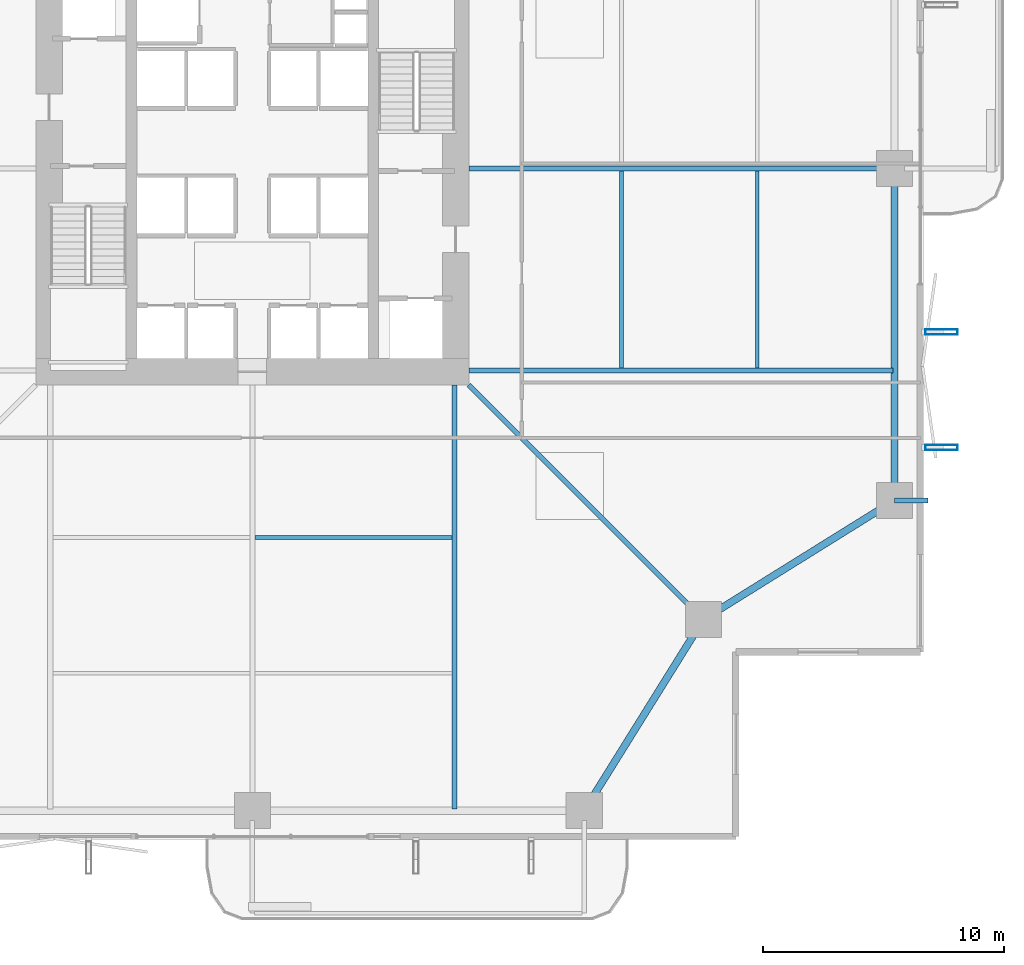
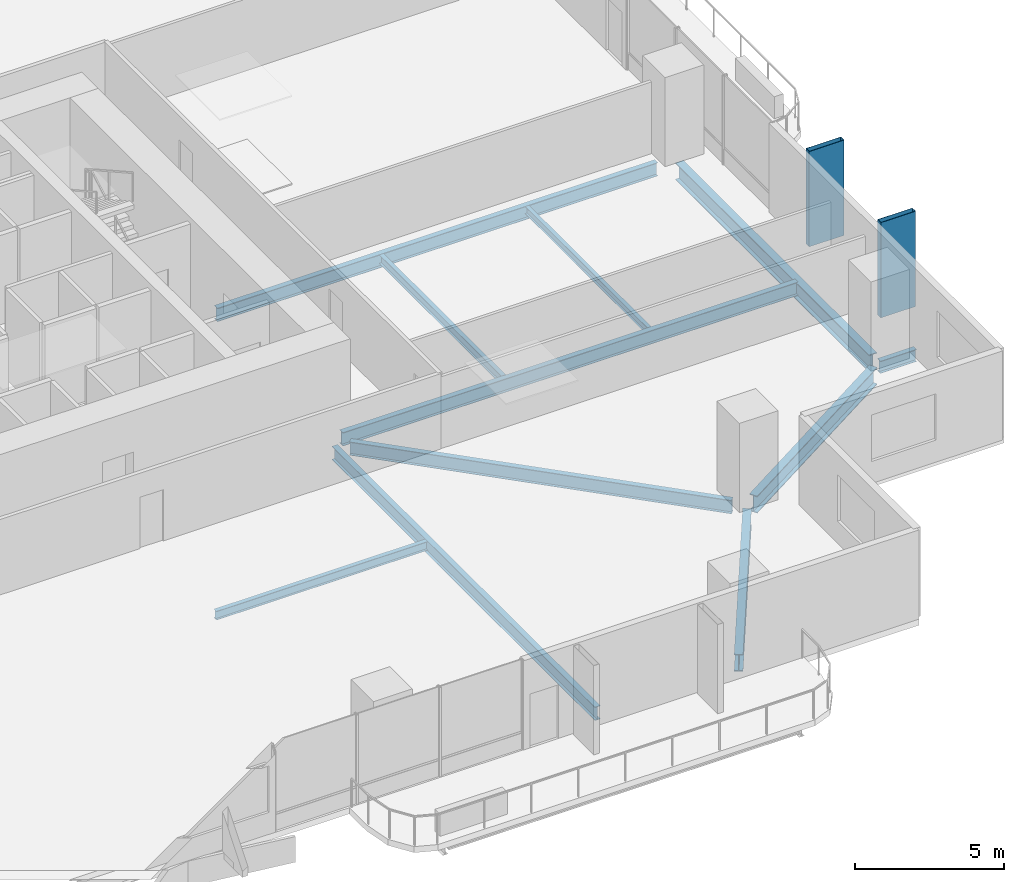
# One storey, part 7 of 23: 11 beams, 2 members.
"""IFC4 building model written with IfcOpenShell, lengths in metres."""

import ifcopenshell
import ifcopenshell.guid

model = None  # the IFC model being written
_history = None  # IfcOwnerHistory: only IFC2X3 demands one
_inside = {}  # id of a spatial element -> (the spatial element, [elements in it])
_under = {}  # id of a project, library or spatial element -> (it, [spatial elements below it])
_declared = {}  # id of a project -> (the project, [libraries it declares])
_typed = {}  # id of a type object -> (the type object, [elements of that type])
_made_of = {}  # id of a material, layer set ... -> (it, [elements and type objects made of it])


def new_model(schema):
    """Start an empty IFC model of exactly this schema.

    Asked for "IFC4X3", IfcOpenShell would pick the latest addendum, in which some entities
    have other attributes; the version numbers below select the first issue.
    IFC2X3 requires an IfcOwnerHistory on every rooted entity: one is made here for all.
    """
    global model, _history
    if schema == "IFC4X3":
        model = ifcopenshell.file(schema_version=(4, 3, 0, 0))
    else:
        model = ifcopenshell.file(schema=schema)
    _inside.clear()
    _under.clear()
    _declared.clear()
    _typed.clear()
    _made_of.clear()
    _history = None
    if model.schema == "IFC2X3":
        org = make("IfcOrganization", Name="unknown")
        user = make(
            "IfcPersonAndOrganization",
            ThePerson=make("IfcPerson", FamilyName="unknown"),
            TheOrganization=org,
        )
        app = make(
            "IfcApplication",
            ApplicationDeveloper=org,
            Version="unknown",
            ApplicationFullName="unknown",
            ApplicationIdentifier="unknown",
        )
        _history = make(
            "IfcOwnerHistory",
            OwningUser=user,
            OwningApplication=app,
            ChangeAction="ADDED",
            CreationDate=0,
        )
    return model


def make(cls, **values):
    """One entity of the class cls with the attributes given. An attribute that is None is left unset."""
    return model.create_entity(
        cls, **{name: value for name, value in values.items() if value is not None}
    )


def rooted(cls, **values):
    """An entity with a GlobalId (a new one), such as an element, a storey or a relation."""
    return make(cls, GlobalId=ifcopenshell.guid.new(), OwnerHistory=_history, **values)


def si_unit(unit_type, name, prefix=None):
    """IfcSIUnit, for example si_unit("LENGTHUNIT", "METRE", prefix="MILLI")."""
    return make("IfcSIUnit", UnitType=unit_type, Prefix=prefix, Name=name)


def assignment(units):
    """IfcUnitAssignment: the units of a project."""
    return None if units is None else make("IfcUnitAssignment", Units=units)


def point(xyz):
    """IfcCartesianPoint."""
    return None if xyz is None else make("IfcCartesianPoint", Coordinates=xyz)


def direction(xyz):
    """IfcDirection."""
    return None if xyz is None else make("IfcDirection", DirectionRatios=xyz)


def frame(location, z_axis=None, x_axis=None):
    """IfcAxis2Placement3D, a coordinate frame: its origin and axes. An axis left out is left unset."""
    return make(
        "IfcAxis2Placement3D",
        Location=point(location),
        Axis=direction(z_axis),
        RefDirection=direction(x_axis),
    )


def frame_2d(location, x_axis=None):
    """IfcAxis2Placement2D, a coordinate frame in the plane: its origin and x axis."""
    return make(
        "IfcAxis2Placement2D", Location=point(location), RefDirection=direction(x_axis)
    )


def origin():
    """The frame at (0, 0, 0) with its axes left unset."""
    return frame((0.0, 0.0, 0.0))


def origin_2d():
    """The frame at (0, 0) in the plane with its x axis left unset."""
    return frame_2d((0.0, 0.0))


def place(relative_to, where):
    """IfcLocalPlacement: puts the frame where relative to a parent placement (None: the world)."""
    return make(
        "IfcLocalPlacement", PlacementRelTo=relative_to, RelativePlacement=where
    )


def context(
    kind, dimensions, precision=None, world=None, true_north=None, identifier=None
):
    """IfcGeometricRepresentationContext, for example the 3D "Model" context."""
    return make(
        "IfcGeometricRepresentationContext",
        ContextIdentifier=identifier,
        ContextType=kind,
        CoordinateSpaceDimension=dimensions,
        Precision=precision,
        WorldCoordinateSystem=world,
        TrueNorth=true_north,
    )


def subcontext(parent, identifier, kind, view, scale=None):
    """IfcGeometricRepresentationSubContext, for example "Body" below "Model"."""
    return make(
        "IfcGeometricRepresentationSubContext",
        ContextIdentifier=identifier,
        ContextType=kind,
        ParentContext=parent,
        TargetScale=scale,
        TargetView=view,
    )


def project(units=None, contexts=None):
    """IfcProject with its units and contexts."""
    return rooted(
        "IfcProject",
        Name="project",
        RepresentationContexts=contexts,
        UnitsInContext=assignment(units),
    )


def spatial(cls, under=None, at=None, **own):
    """A site, building, storey or space (cls), placed at a placement, below another one or the project."""
    s = rooted(cls, ObjectPlacement=at, **own)
    if under is not None:
        _under.setdefault(under.id(), (under, []))[1].append(s)
    return s


def profile(cls, at=None, kind="AREA", **sizes):
    """A parametric profile (cls). Its sizes go by their IFC names, for example OverallWidth=200.0."""
    return make(cls, ProfileType=kind, Position=at, **sizes)


def hollow_rectangle(**sizes):
    """IfcRectangleHollowProfileDef."""
    return profile("IfcRectangleHollowProfileDef", **sizes)


def i_section(**sizes):
    """IfcIShapeProfileDef."""
    return profile("IfcIShapeProfileDef", **sizes)


def extrude(swept, where, along, depth):
    """IfcExtrudedAreaSolid: the profile swept, set in the frame where, extruded along a direction by depth."""
    return make(
        "IfcExtrudedAreaSolid",
        SweptArea=swept,
        Position=where,
        ExtrudedDirection=direction(along),
        Depth=depth,
    )


def shape(context_of_items, identifier, shape_type, items):
    """IfcShapeRepresentation: the items that make up one representation, for example the "Body"."""
    return make(
        "IfcShapeRepresentation",
        ContextOfItems=context_of_items,
        RepresentationIdentifier=identifier,
        RepresentationType=shape_type,
        Items=items,
    )


def material(Name=None, Category=None):
    """IfcMaterial."""
    return make("IfcMaterial", Name=Name, Category=Category)


def material_profile(
    of_material, cross_section, Name=None, Category=None, Priority=None
):
    """IfcMaterialProfile: a cross section and its material."""
    return make(
        "IfcMaterialProfile",
        Name=Name,
        Material=of_material,
        Profile=cross_section,
        Priority=Priority,
        Category=Category,
    )


def profile_set(profiles, Name=None, composite=None):
    """IfcMaterialProfileSet."""
    return make(
        "IfcMaterialProfileSet",
        Name=Name,
        MaterialProfiles=profiles,
        CompositeProfile=composite,
    )


def made_of(thing, what):
    """Note that an element or type object is made of a material, layer set ...; save() writes the relation."""
    if what is not None:
        _made_of.setdefault(what.id(), (what, []))[1].append(thing)
    return thing


def type_object(cls, material=None, **own):
    """A type object (cls), such as IfcWallType, which elements share."""
    return made_of(rooted(cls, **own), material)


def element(
    cls,
    number,
    at=None,
    inside=None,
    cuts=None,
    type_object=None,
    material=None,
    context=None,
    identifier="Body",
    shape_type=None,
    held_by="IfcProductDefinitionShape",
    body=None,
    shapes=None,
    **own,
):
    """One element of the class cls, such as IfcWall. Its Tag is "e" and its number.

    at: its placement. inside: the storey or other place that contains it. cuts: it is an
    opening in that element (IfcRelVoidsElement). A single representation is given by context,
    identifier, shape_type and body (its items); several are given by shapes. held_by: the class
    of the entity that holds the representations. save() writes the other relations.
    """
    e = rooted(cls, Tag="e%d" % number, ObjectPlacement=at, **own)
    if body is not None:
        shapes = [shape(context, identifier, shape_type, body)]
    if shapes is not None:
        e.Representation = make(held_by, Representations=shapes)
    if inside is not None:
        _inside.setdefault(inside.id(), (inside, []))[1].append(e)
    if cuts is not None:
        rooted(
            "IfcRelVoidsElement", RelatingBuildingElement=cuts, RelatedOpeningElement=e
        )
    if type_object is not None:
        _typed.setdefault(type_object.id(), (type_object, []))[1].append(e)
    return made_of(e, material)


def aggregate(whole, parts):
    """IfcRelAggregates: a whole, such as a stair, and the parts it consists of."""
    return rooted("IfcRelAggregates", RelatingObject=whole, RelatedObjects=parts)


def save(model, path):
    """Write the relations noted so far, then the file.

    IfcRelAggregates (storeys below a building ...), IfcRelContainedInSpatialStructure (elements
    in a storey), IfcRelDefinesByType, IfcRelAssociatesMaterial and IfcRelDeclares: one each for
    every whole, place, type object, material and project.
    """
    for whole, parts in _under.values():
        aggregate(whole, parts)
    for where, things in _inside.values():
        rooted(
            "IfcRelContainedInSpatialStructure",
            RelatedElements=things,
            RelatingStructure=where,
        )
    for kind, things in _typed.values():
        rooted("IfcRelDefinesByType", RelatedObjects=things, RelatingType=kind)
    for what, things in _made_of.values():
        rooted("IfcRelAssociatesMaterial", RelatedObjects=things, RelatingMaterial=what)
    for by, libraries in _declared.values():
        rooted("IfcRelDeclares", RelatingContext=by, RelatedDefinitions=libraries)
    model.write(path)


model = new_model("IFC4")

# Units and contexts
model_context = context("Model", 3, precision=1e-05, world=origin(), true_north=direction((0.0, 1.0)))
body_context = subcontext(model_context, "Body", "Model", "MODEL_VIEW")
ifc_project = project(units=[si_unit("LENGTHUNIT", "METRE"), si_unit("AREAUNIT", "SQUARE_METRE"), si_unit("VOLUMEUNIT", "CUBIC_METRE"), si_unit("PLANEANGLEUNIT", "RADIAN"), si_unit("MASSUNIT", "GRAM", prefix="KILO")], contexts=[model_context])

# Site, building, storey
site_placement = place(None, origin())
site = spatial("IfcSite", under=ifc_project, at=site_placement, CompositionType="ELEMENT")
building_placement = place(site_placement, origin())
building = spatial("IfcBuilding", under=site, at=building_placement, Name="Belovzor Exchange Tower", CompositionType="ELEMENT")
storey_placement = place(building_placement, frame((0.0, 0.0, 84.60009765625)))
storey = spatial("IfcBuildingStorey", under=building, at=storey_placement, Name="L20", CompositionType="ELEMENT", Elevation=84.60009765625)

# Members
ifc_material_1 = material(Name="Extruded Architectural Terracotta on Steel S355 Carrier", Category="masonry")
ifc_material_profile_1 = material_profile(ifc_material_1, hollow_rectangle(XDim=0.219970703125, YDim=1.35009765625, WallThickness=0.013916015625, at=origin_2d()))
ifc_profile_set_1 = profile_set([ifc_material_profile_1], Name="Extruded Architectural Terracotta on Steel S355 Carrier")
member_type = type_object("IfcMemberType", Name="Base Arc Sweeping Terracotta Pylon Fin 1450", PredefinedType="USERDEFINED", material=ifc_profile_set_1)
for number, where, z_axis, x_axis, name in (
    (1, (57.449951171875, 17.199951171875, -0.25), (0.0, 0.0, 1.0), (0.0, 1.0, 0.0), "FIN-TC145 Terracotta Facade Fin L20 E1"),
    (2, (57.449951171875, 22.0, -0.25), (0.0, 0.0, 1.0), (0.0, 1.0, 0.0), "FIN-TC145 Terracotta Facade Fin L20 E2"),
):
    element("IfcMember", number, at=place(storey_placement, frame(where, z_axis=z_axis, x_axis=x_axis)), inside=storey, type_object=member_type, Name=name, ObjectType="FIN", PredefinedType="USERDEFINED", context=body_context, shape_type="SweptSolid", body=[
        extrude(hollow_rectangle(XDim=0.219970703125, YDim=1.35009765625, WallThickness=0.013916015625, at=origin_2d()), origin(), (0.0, 0.0, 1.0), 3.89990234375),
    ])

# Beams
ifc_material_2 = material(Name="Steel S355", Category="steel")
ifc_material_profile_2 = material_profile(ifc_material_2, i_section(OverallWidth=0.199951171875, OverallDepth=0.5, WebThickness=0.01025390625, FlangeThickness=0.01611328125, at=origin_2d()))
ifc_profile_set_2 = profile_set([ifc_material_profile_2], Name="Steel S355")
beam_type_1 = type_object("IfcBeamType", Name="Planted Balcony Cantilever Beam IPE 500", PredefinedType="BEAM", material=ifc_profile_set_2)
beam_1_placement = place(storey_placement, frame((55.5, 15.0, -0.5), z_axis=(1.0, 0.0, 0.0), x_axis=(0.0, 1.0, 0.0)))
element("IfcBeam", 3, at=beam_1_placement, inside=storey, type_object=beam_type_1, Name="BC-500 Planted Balcony Cantilever Beam IPE 500", PredefinedType="BEAM", context=body_context, shape_type="SweptSolid", body=[
    extrude(i_section(OverallWidth=0.199951171875, OverallDepth=0.5, WebThickness=0.01025390625, FlangeThickness=0.01611328125, at=origin_2d()), origin(), (0.0, 0.0, 1.0), 1.39990234375),
])
ifc_material_3 = material(Name="Steel S355", Category="steel")
ifc_material_profile_3 = material_profile(ifc_material_3, i_section(OverallWidth=0.169921875, OverallDepth=0.360107421875, WebThickness=0.008056640625, FlangeThickness=0.0126953125, at=origin_2d()))
ifc_profile_set_3 = profile_set([ifc_material_profile_3], Name="Steel S355")
beam_type_2 = type_object("IfcBeamType", Name="Secondary Infill Floor Joist IPE 360", PredefinedType="BEAM", material=ifc_profile_set_3)
beam_2_placement = place(storey_placement, frame((28.905029296875, 13.455078125, -0.43017578125), z_axis=(1.0, 0.0, 0.0), x_axis=(0.0, 1.0, 0.0)))
element("IfcBeam", 4, at=beam_2_placement, inside=storey, type_object=beam_type_2, Name="FJ-360 Secondary Infill Floor Joist IPE 360", PredefinedType="BEAM", context=body_context, shape_type="SweptSolid", body=[
    extrude(i_section(OverallWidth=0.169921875, OverallDepth=0.360107421875, WebThickness=0.008056640625, FlangeThickness=0.0126953125, at=origin_2d()), origin(), (0.0, 0.0, 1.0), 8.18994140625),
])
beam_3_placement = place(storey_placement, frame((44.14501953125, 20.5048828125, -0.43017578125), z_axis=(0.0, 1.0, 0.0), x_axis=(-1.0, 0.0, 0.0)))
element("IfcBeam", 5, at=beam_3_placement, inside=storey, type_object=beam_type_2, Name="FJ-360 Secondary Infill Floor Joist IPE 360", PredefinedType="BEAM", context=body_context, shape_type="SweptSolid", body=[
    extrude(i_section(OverallWidth=0.169921875, OverallDepth=0.360107421875, WebThickness=0.008056640625, FlangeThickness=0.0126953125, at=origin_2d()), origin(), (0.0, 0.0, 1.0), 8.190185546875),
])
ifc_material_4 = material(Name="Steel S355", Category="steel")
ifc_material_profile_4 = material_profile(ifc_material_4, i_section(OverallWidth=0.14990234375, OverallDepth=0.300048828125, WebThickness=0.007080078125, FlangeThickness=0.0107421875, at=origin_2d()))
ifc_profile_set_4 = profile_set([ifc_material_profile_4], Name="Steel S355")
beam_type_3 = type_object("IfcBeamType", Name="Secondary Trim Floor Joist IPE 300", PredefinedType="BEAM", material=ifc_profile_set_4)
beam_4_placement = place(storey_placement, frame((49.784912109375, 20.5048828125, -0.400146484375), z_axis=(0.0, 1.0, 0.0), x_axis=(-1.0, 0.0, 0.0)))
element("IfcBeam", 6, at=beam_4_placement, inside=storey, type_object=beam_type_3, Name="FJ-300 Secondary Trim Floor Joist IPE 300", PredefinedType="BEAM", context=body_context, shape_type="SweptSolid", body=[
    extrude(i_section(OverallWidth=0.14990234375, OverallDepth=0.300048828125, WebThickness=0.007080078125, FlangeThickness=0.0107421875, at=origin_2d()), origin(), (0.0, 0.0, 1.0), 8.190185546875),
])
ifc_material_5 = material(Name="Steel S355", Category="steel")
ifc_material_profile_5 = material_profile(ifc_material_5, i_section(OverallWidth=0.300048828125, OverallDepth=0.699951171875, WebThickness=0.01708984375, FlangeThickness=0.031982421875, at=origin_2d()))
ifc_profile_set_5 = profile_set([ifc_material_profile_5], Name="Steel S355")
beam_type_4 = type_object("IfcBeamType", Name="Zone 1 Primary Perimeter Girder HEB 700", PredefinedType="BEAM", material=ifc_profile_set_5)
for number, where, z_axis, x_axis, name in (
    (7, (42.818115234375, 2.449951171875, -0.60009765625), (0.528538629686, 0.848909251292, 0.0), (-0.848909251292, 0.528538629686, 0.0), "FG-Z1 Zone 1 Primary Perimeter Girder HEB 700"),
    (8, (47.89990234375, 10.26806640625, -0.60009765625), (0.848909251292, 0.528538629686, 0.0), (-0.528538629686, 0.848909251292, 0.0), "FG-Z1 Zone 1 Primary Perimeter Girder HEB 700"),
):
    element("IfcBeam", number, at=place(storey_placement, frame(where, z_axis=z_axis, x_axis=x_axis)), inside=storey, type_object=beam_type_4, Name=name, PredefinedType="BEAM", context=body_context, shape_type="SweptSolid", body=[
        extrude(i_section(OverallWidth=0.300048828125, OverallDepth=0.699951171875, WebThickness=0.01708984375, FlangeThickness=0.031982421875, at=origin_2d()), origin(), (0.0, 0.0, 1.0), 8.540283203125),
    ])
beam_5_placement = place(storey_placement, frame((55.5, 15.412109375, -0.60009765625), z_axis=(0.0, 1.0, 0.0), x_axis=(-1.0, 0.0, 0.0)))
element("IfcBeam", 9, at=beam_5_placement, inside=storey, type_object=beam_type_4, Name="FG-Z1 Zone 1 Primary Perimeter Girder HEB 700", PredefinedType="BEAM", context=body_context, shape_type="SweptSolid", body=[
    extrude(i_section(OverallWidth=0.300048828125, OverallDepth=0.699951171875, WebThickness=0.01708984375, FlangeThickness=0.031982421875, at=origin_2d()), origin(), (0.0, 0.0, 1.0), 12.974853515625),
])
ifc_material_6 = material(Name="Steel S355", Category="steel")
ifc_material_profile_6 = material_profile(ifc_material_6, i_section(OverallWidth=0.2099609375, OverallDepth=0.550048828125, WebThickness=0.010986328125, FlangeThickness=0.01708984375, at=origin_2d()))
ifc_profile_set_6 = profile_set([ifc_material_profile_6], Name="Steel S355")
beam_type_5 = type_object("IfcBeamType", Name="Zone 1 Radial Composite Floor Beam IPE 550", PredefinedType="BEAM", material=ifc_profile_set_6)
for number, where, z_axis, x_axis, name in (
    (10, (37.199951171875, 19.800048828125, -0.525146484375), (0.0, -1.0, 0.0), (1.0, 0.0, 0.0), "FB-550 Zone 1 Radial Composite Floor Beam IPE 550"),
    (11, (37.800048828125, 20.39990234375, -0.525146484375), (1.0, 0.0, 0.0), (0.0, 1.0, 0.0), "FB-550 Zone 1 Radial Composite Floor Beam IPE 550"),
):
    element("IfcBeam", number, at=place(storey_placement, frame(where, z_axis=z_axis, x_axis=x_axis)), inside=storey, type_object=beam_type_5, Name=name, PredefinedType="BEAM", context=body_context, shape_type="SweptSolid", body=[
        extrude(i_section(OverallWidth=0.2099609375, OverallDepth=0.550048828125, WebThickness=0.010986328125, FlangeThickness=0.01708984375, at=origin_2d()), origin(), (0.0, 0.0, 1.0), 17.625),
    ])
beam_6_placement = place(storey_placement, frame((37.800048828125, 28.800048828125, -0.525146484375), z_axis=(1.0, 0.0, 0.0), x_axis=(0.0, 1.0, 0.0)))
element("IfcBeam", 12, at=beam_6_placement, inside=storey, type_object=beam_type_5, Name="FB-550 Zone 1 Radial Composite Floor Beam IPE 550", PredefinedType="BEAM", context=body_context, shape_type="SweptSolid", body=[
    extrude(i_section(OverallWidth=0.2099609375, OverallDepth=0.550048828125, WebThickness=0.010986328125, FlangeThickness=0.01708984375, at=origin_2d()), origin(), (0.0, 0.0, 1.0), 17.0400390625),
])
beam_7_placement = place(storey_placement, frame((37.800048828125, 19.800048828125, -0.525146484375), z_axis=(0.707106781187, -0.707106781187, 0.0), x_axis=(0.707106781187, 0.707106781187, 0.0)))
element("IfcBeam", 13, at=beam_7_placement, inside=storey, type_object=beam_type_5, Name="FB-550 Zone 1 Radial Composite Floor Beam IPE 550", PredefinedType="BEAM", context=body_context, shape_type="SweptSolid", body=[
    extrude(i_section(OverallWidth=0.2099609375, OverallDepth=0.550048828125, WebThickness=0.010986328125, FlangeThickness=0.01708984375, at=origin_2d()), origin(), (0.0, 0.0, 1.0), 13.25830078125),
])

save(model, "model.ifc")
